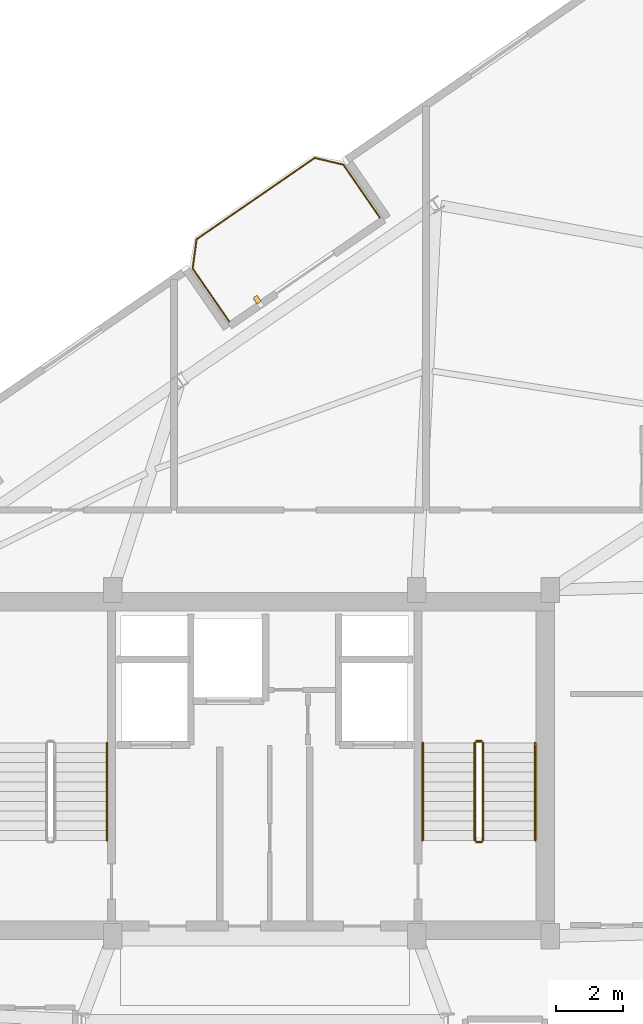
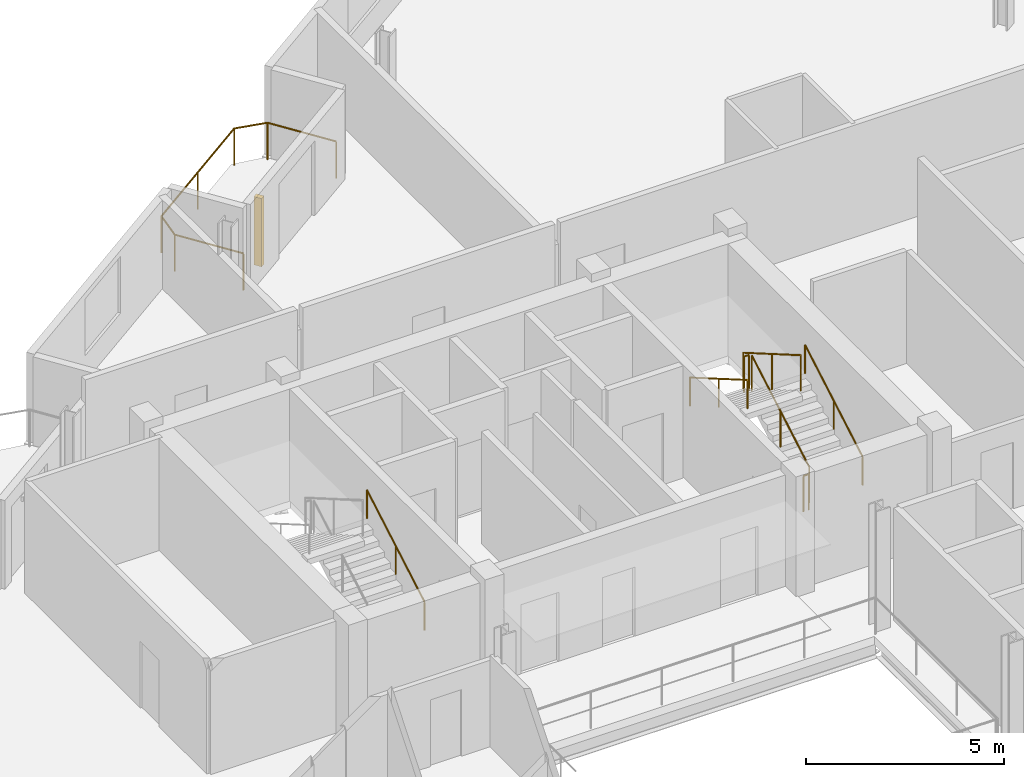
# One storey, part 21 of 21: 8 railings, 1 shading device.
"""IFC4 building model written with IfcOpenShell, lengths in metres."""

from ifc_helpers import new_model, si_unit, direction, frame, origin, origin_2d, place, context, subcontext, project, spatial, rectangle, circle, extrude, source, transform, mapped, material, type_object, element, save


model = new_model("IFC4")

# Units and contexts
model_context = context("Model", 3, precision=1e-05, world=origin(), true_north=direction((0.0, 1.0)))
body_context = subcontext(model_context, "Body", "Model", "MODEL_VIEW")
ifc_project = project(units=[si_unit("LENGTHUNIT", "METRE"), si_unit("AREAUNIT", "SQUARE_METRE"), si_unit("VOLUMEUNIT", "CUBIC_METRE"), si_unit("PLANEANGLEUNIT", "RADIAN"), si_unit("MASSUNIT", "GRAM", prefix="KILO")], contexts=[model_context])

# Site, building, storey
site_placement = place(None, origin())
site = spatial("IfcSite", under=ifc_project, at=site_placement, CompositionType="ELEMENT")
building_placement = place(site_placement, origin())
building = spatial("IfcBuilding", under=site, at=building_placement, Name="Varnelok Gate Tower", CompositionType="ELEMENT")
storey_placement = place(building_placement, frame((0.0, 0.0, 265.60009765625)))
storey = spatial("IfcBuildingStorey", under=building, at=storey_placement, Name="L68", CompositionType="ELEMENT", Elevation=265.60009765625)

# Railings
ifc_material_1 = material(Name="Low-E Laminated Double Glazing IGU", Category="glass")
railing_type_1 = type_object("IfcRailingType", Name="RL-BALC-1150", PredefinedType="BALUSTRADE", material=ifc_material_1)
railing_1_placement = place(storey_placement, frame((38.143310546875, 47.036376953125, 0.0)))
element("IfcRailing", 1, at=railing_1_placement, inside=storey, type_object=railing_type_1, Name="L68 North Terrace Balustrade 6", PredefinedType="BALUSTRADE", context=body_context, shape_type="SweptSolid", body=[
    extrude(circle(Radius=0.02392578125, at=origin_2d()), frame((0.0, 0.0, 1.1259765625), z_axis=(-0.567284155424, 0.82352212296, 0.0), x_axis=(-0.82352212296, -0.567284155424, 0.0)), (0.0, 0.0, 1.0), 1.919921875),
    extrude(circle(Radius=0.02392578125, at=origin_2d()), frame((-1.089111328125, 1.5810546875, 1.1259765625), z_axis=(0.133238627421, 0.991083986433, 0.0), x_axis=(-0.991083986433, 0.133238627421, 0.0)), (0.0, 0.0, 1.0), 0.877685546875),
    extrude(circle(Radius=0.02392578125, at=origin_2d()), frame((-0.97216796875, 2.450927734375, 1.1259765625), z_axis=(0.823530765458, 0.56727160897, 0.0), x_axis=(-0.56727160897, 0.823530765458, 0.0)), (0.0, 0.0, 1.0), 4.26708984375),
    extrude(circle(Radius=0.02392578125, at=origin_2d()), frame((2.5419921875, 4.87158203125, 1.1259765625), z_axis=(0.973573806257, -0.228372598553, 0.0), x_axis=(0.228372598553, 0.973573806257, 0.0)), (0.0, 0.0, 1.0), 0.877685546875),
    extrude(circle(Radius=0.02392578125, at=origin_2d()), frame((3.396484375, 4.671142578125, 1.1259765625), z_axis=(0.567224752248, -0.823563039747, 0.0), x_axis=(0.823563039747, 0.567224752248, 0.0)), (0.0, 0.0, 1.0), 1.920166015625),
    extrude(circle(Radius=0.02099609375, at=origin_2d()), origin(), (0.0, 0.0, 1.0), 1.101806640625),
    extrude(circle(Radius=0.02099609375, at=origin_2d()), frame((-1.089111328125, 1.5810546875, 0.0)), (0.0, 0.0, 1.0), 1.101806640625),
    extrude(circle(Radius=0.02099609375, at=origin_2d()), frame((-0.97216796875, 2.450927734375, 0.0)), (0.0, 0.0, 1.0), 1.101806640625),
    extrude(circle(Radius=0.02099609375, at=origin_2d()), frame((0.784912109375, 3.6611328125, 0.0)), (0.0, 0.0, 1.0), 1.101806640625),
    extrude(circle(Radius=0.02099609375, at=origin_2d()), frame((2.5419921875, 4.87158203125, 0.0)), (0.0, 0.0, 1.0), 1.101806640625),
    extrude(circle(Radius=0.02099609375, at=origin_2d()), frame((3.396484375, 4.671142578125, 0.0)), (0.0, 0.0, 1.0), 1.101806640625),
    extrude(circle(Radius=0.02099609375, at=origin_2d()), frame((4.485595703125, 3.08984375, 0.0)), (0.0, 0.0, 1.0), 1.101806640625),
])
ifc_material_2 = material(Name="Brushed Stainless Steel AISI 316", Category="steel")
railing_type_2 = type_object("IfcRailingType", Name="RL-HANDRAIL-900", PredefinedType="HANDRAIL", material=ifc_material_2)
for number, where, name in (
    (2, (34.5, 31.60009765625, 0.16796875), "L68 ST-1 stair handrail 1"),
    (3, (47.25, 31.60009765625, 0.16796875), "L68 ST-2 stair handrail 1"),
):
    element("IfcRailing", number, at=place(storey_placement, frame(where)), inside=storey, type_object=railing_type_2, Name=name, PredefinedType="HANDRAIL", context=body_context, shape_type="SweptSolid", body=[
        extrude(circle(Radius=0.02392578125, at=origin_2d()), frame((0.0, 0.0, 0.8759765625), z_axis=(0.0, 0.865038774852, 0.501705010941), x_axis=(-1.0, 0.0, 0.0)), (0.0, 0.0, 1.0), 3.352294921875),
        extrude(circle(Radius=0.02099609375, at=origin_2d()), origin(), (0.0, 0.0, 1.0), 0.851806640625),
        extrude(circle(Radius=0.02099609375, at=origin_2d()), frame((0.0, 1.449951171875, 0.8408203125)), (0.0, 0.0, 1.0), 0.851806640625),
        extrude(circle(Radius=0.02099609375, at=origin_2d()), frame((0.0, 2.89990234375, 1.681884765625)), (0.0, 0.0, 1.0), 0.851806640625),
    ])
railing_2_placement = place(storey_placement, frame((43.89990234375, 34.5, 2.01806640625)))
element("IfcRailing", 4, at=railing_2_placement, inside=storey, type_object=railing_type_2, Name="L68 ST-2 stair handrail 2", PredefinedType="HANDRAIL", context=body_context, shape_type="SweptSolid", body=[
    extrude(circle(Radius=0.02392578125, at=origin_2d()), frame((0.0, 0.0, 0.8759765625), z_axis=(0.0, -0.865038774852, 0.501705010941), x_axis=(1.0, 0.0, 0.0)), (0.0, 0.0, 1.0), 3.352294921875),
    extrude(circle(Radius=0.02099609375, at=origin_2d()), origin(), (0.0, 0.0, 1.0), 0.851806640625),
    extrude(circle(Radius=0.02099609375, at=origin_2d()), frame((0.0, -1.449951171875, 0.8408203125)), (0.0, 0.0, 1.0), 0.851806640625),
    extrude(circle(Radius=0.02099609375, at=origin_2d()), frame((0.0, -2.89990234375, 1.681884765625)), (0.0, 0.0, 1.0), 0.851806640625),
])
ifc_material_3 = material(Name="Galvanized Steel Grade S350GD", Category="steel")
railing_type_3 = type_object("IfcRailingType", Name="RL-STAIR-GUARD1120", PredefinedType="GUARDRAIL", material=ifc_material_3)
railing_3_placement = place(storey_placement, frame((45.699951171875, 31.60009765625, 0.16796875)))
element("IfcRailing", 5, at=railing_3_placement, inside=storey, type_object=railing_type_3, Name="L68 ST-2 stair guard 1", PredefinedType="GUARDRAIL", context=body_context, shape_type="SweptSolid", body=[
    extrude(circle(Radius=0.02392578125, at=origin_2d()), frame((0.0, 0.0, 1.09619140625), z_axis=(0.0, 0.865038774852, 0.501705010941), x_axis=(-1.0, 0.0, 0.0)), (0.0, 0.0, 1.0), 3.352294921875),
    extrude(circle(Radius=0.02099609375, at=origin_2d()), origin(), (0.0, 0.0, 1.0), 1.072021484375),
    extrude(circle(Radius=0.02099609375, at=origin_2d()), frame((0.0, 1.449951171875, 0.8408203125)), (0.0, 0.0, 1.0), 1.072021484375),
    extrude(circle(Radius=0.02099609375, at=origin_2d()), frame((0.0, 2.89990234375, 1.681884765625)), (0.0, 0.0, 1.0), 1.072021484375),
])
railing_4_placement = place(storey_placement, frame((45.64990234375, 34.550048828125, 1.849853515625)))
element("IfcRailing", 6, at=railing_4_placement, inside=storey, type_object=railing_type_3, Name="L68 ST-2 stair guard 2", PredefinedType="GUARDRAIL", context=body_context, shape_type="SweptSolid", body=[
    extrude(circle(Radius=0.02392578125, at=origin_2d()), frame((0.0, 0.0, 1.09619140625), z_axis=(-1.0, 0.0, 0.0), x_axis=(0.0, -1.0, 0.0)), (0.0, 0.0, 1.0), 0.14990234375),
    extrude(circle(Radius=0.02099609375, at=origin_2d()), origin(), (0.0, 0.0, 1.0), 1.072021484375),
    extrude(circle(Radius=0.02099609375, at=origin_2d()), frame((-0.14990234375, 0.0, 0.0)), (0.0, 0.0, 1.0), 1.072021484375),
])
railing_5_placement = place(storey_placement, frame((45.449951171875, 34.5, 2.01806640625)))
element("IfcRailing", 7, at=railing_5_placement, inside=storey, type_object=railing_type_3, Name="L68 ST-2 stair guard 3", PredefinedType="GUARDRAIL", context=body_context, shape_type="SweptSolid", body=[
    extrude(circle(Radius=0.02392578125, at=origin_2d()), frame((0.0, 0.0, 1.09619140625), z_axis=(0.0, -0.865038774852, 0.501705010941), x_axis=(1.0, 0.0, 0.0)), (0.0, 0.0, 1.0), 3.352294921875),
    extrude(circle(Radius=0.02099609375, at=origin_2d()), origin(), (0.0, 0.0, 1.0), 1.072021484375),
    extrude(circle(Radius=0.02099609375, at=origin_2d()), frame((0.0, -1.449951171875, 0.8408203125)), (0.0, 0.0, 1.0), 1.072021484375),
    extrude(circle(Radius=0.02099609375, at=origin_2d()), frame((0.0, -2.89990234375, 1.681884765625)), (0.0, 0.0, 1.0), 1.072021484375),
])
railing_6_placement = place(storey_placement, frame((45.64990234375, 31.550048828125, 0.0)))
element("IfcRailing", 8, at=railing_6_placement, inside=storey, type_object=railing_type_3, Name="L68 ST-2 stair guard 4", PredefinedType="GUARDRAIL", context=body_context, shape_type="SweptSolid", body=[
    extrude(circle(Radius=0.02392578125, at=origin_2d()), frame((0.0, 0.0, 1.09619140625), z_axis=(-1.0, 0.0, 0.0), x_axis=(0.0, -1.0, 0.0)), (0.0, 0.0, 1.0), 0.14990234375),
    extrude(circle(Radius=0.02099609375, at=origin_2d()), origin(), (0.0, 0.0, 1.0), 1.072021484375),
    extrude(circle(Radius=0.02099609375, at=origin_2d()), frame((-0.14990234375, 0.0, 0.0)), (0.0, 0.0, 1.0), 1.072021484375),
])

# Shading device
ifc_material_4 = material(Name="Glazed Architectural Terracotta Ceramic", Category="masonry")
shading_device_type = type_object("IfcShadingDeviceType", Name="SHD-TERRA-BAGUETTE", PredefinedType="USERDEFINED", material=ifc_material_4)
shared_shape = source(origin(), body_context, "Body", "SweptSolid", [
    extrude(rectangle(XDim=0.139892578125, YDim=0.219970703125, at=origin_2d()), origin(), (0.0, 0.0, 1.0), 2.10009765625),
])
shading_device_placement = place(storey_placement, frame((38.970947265625, 47.69140625, 0.099853515625), z_axis=(0.0, 0.0, 1.0), x_axis=(0.823532597628, 0.567268949127, 0.0)))
element("IfcShadingDevice", 9, at=shading_device_placement, inside=storey, type_object=shading_device_type, Name="L68 Terracotta Ceramic Baguette Sunscreen 6.1", ObjectType="BAGUETTE", PredefinedType="USERDEFINED", context=body_context, shape_type="MappedRepresentation", body=[
    mapped(shared_shape, transform((0.0, 0.0, 0.0), scale=1.0)),
])

save(model, "model.ifc")
